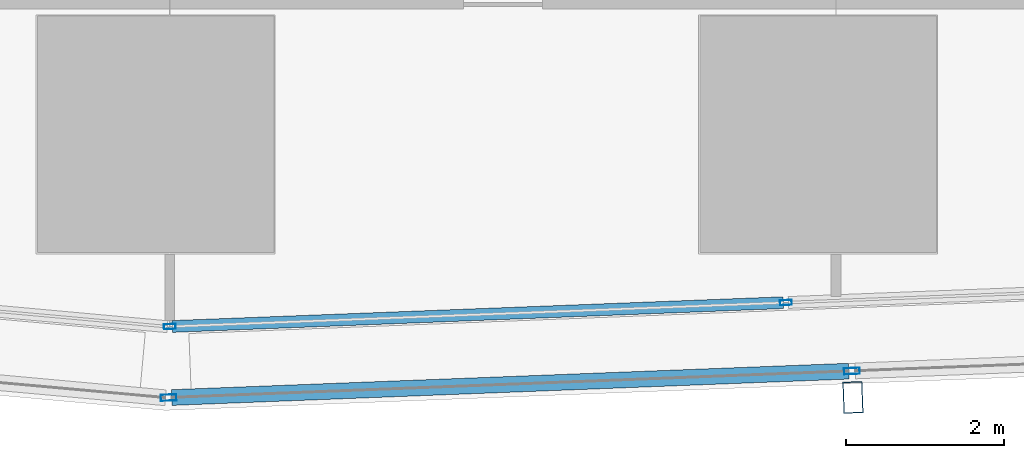
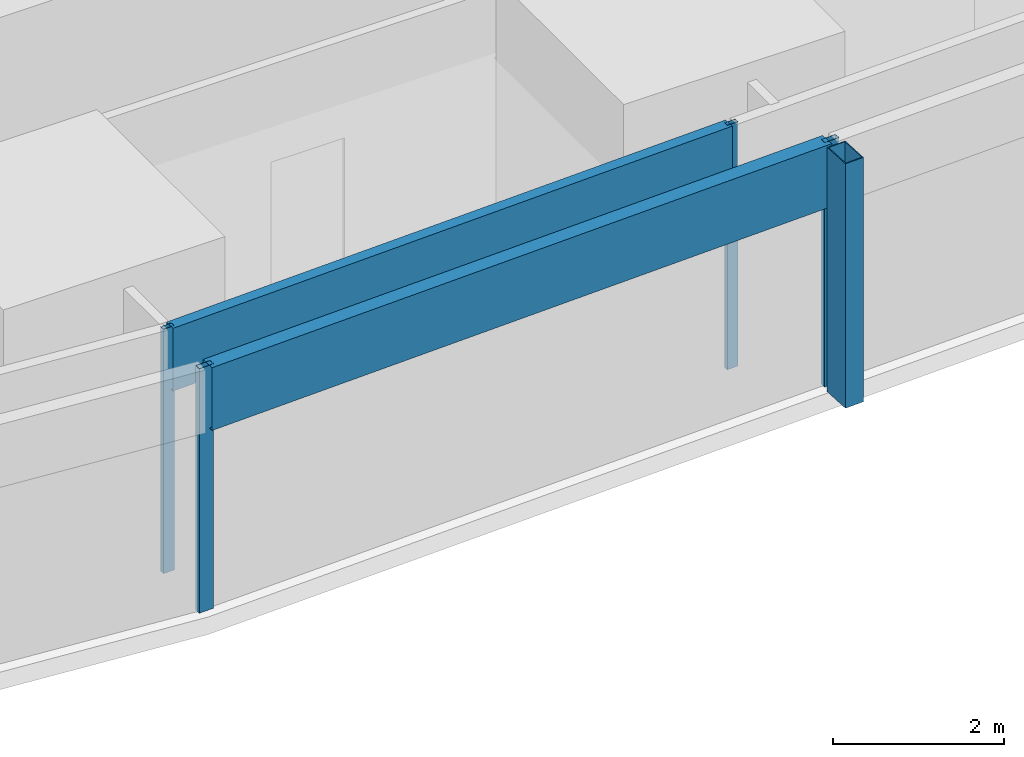
# One storey, part 5 of 39: 7 members, 2 elements without a shape of their own.
"""IFC4 building model written with IfcOpenShell, lengths in metres."""

from ifc_helpers import new_model, si_unit, direction, frame, origin, origin_2d, place, context, subcontext, project, spatial, hollow_rectangle, extrude, material, material_profile, profile_set, type_object, element, aggregate, save


model = new_model("IFC4")

# Units and contexts
model_context = context("Model", 3, precision=1e-05, world=origin(), true_north=direction((0.0, 1.0)))
body_context = subcontext(model_context, "Body", "Model", "MODEL_VIEW")
ifc_project = project(units=[si_unit("LENGTHUNIT", "METRE"), si_unit("AREAUNIT", "SQUARE_METRE"), si_unit("VOLUMEUNIT", "CUBIC_METRE"), si_unit("PLANEANGLEUNIT", "RADIAN"), si_unit("MASSUNIT", "GRAM", prefix="KILO")], contexts=[model_context])

# Site, building, storey
site_placement = place(None, origin())
site = spatial("IfcSite", under=ifc_project, at=site_placement, CompositionType="ELEMENT")
building_placement = place(site_placement, origin())
building = spatial("IfcBuilding", under=site, at=building_placement, Name="Rekha Terrace Tower", CompositionType="ELEMENT")
storey_placement = place(building_placement, frame((0.0, 0.0, 155.300048828125)))
storey = spatial("IfcBuildingStorey", under=building, at=storey_placement, Name="L39", CompositionType="ELEMENT", Elevation=155.300048828125)

# Curtain wall, member
ifc_material_1 = material(Name="Aluminium framing", Category="aluminium")
curtain_wall_type_1 = type_object("IfcCurtainWallType", Name="CW2 double skin outer glazing", PredefinedType="USERDEFINED", material=ifc_material_1)
curtain_wall_1_placement = place(storey_placement, origin())
curtain_wall_1 = element("IfcCurtainWall", 1, at=curtain_wall_1_placement, inside=storey, type_object=curtain_wall_type_1, Name="CW2 double skin outer glazing", ObjectType="DOUBLE SKIN OUTER GLAZING", PredefinedType="USERDEFINED")
ifc_material_2 = material(Name="Steel S355 with fluorocarbon finish", Category="steel")
ifc_material_profile_1 = material_profile(ifc_material_2, hollow_rectangle(XDim=0.25, YDim=0.39990234375, WallThickness=0.012451171875, at=origin_2d()), Name="RHS400x250x12.5")
ifc_profile_set_1 = profile_set([ifc_material_profile_1], Name="Steel S355 with fluorocarbon finish")
member_type_1 = type_object("IfcMemberType", Name="BL1 facade blade RHS 400 x 250", PredefinedType="USERDEFINED", material=ifc_profile_set_1)
member_1_placement = place(storey_placement, frame((34.042236328125, 13.46435546875, 0.0), z_axis=(0.0, 0.0, 1.0), x_axis=(0.999243494356, 0.038890088543, 0.0)))
member_1 = element("IfcMember", 2, at=member_1_placement, type_object=member_type_1, Name="Facade blade", ObjectType="FACADE BLADE", PredefinedType="USERDEFINED", context=body_context, shape_type="SweptSolid", body=[
    extrude(hollow_rectangle(XDim=0.25, YDim=0.39990234375, WallThickness=0.012451171875, at=origin_2d()), origin(), (0.0, 0.0, 1.0), 3.5),
])

# Curtain wall, members
curtain_wall_type_2 = type_object("IfcCurtainWallType", Name="CW1 double skin inner glazing", PredefinedType="USERDEFINED", material=ifc_material_1)
curtain_wall_2_placement = place(storey_placement, origin())
curtain_wall_2 = element("IfcCurtainWall", 3, at=curtain_wall_2_placement, inside=storey, type_object=curtain_wall_type_2, Name="CW1 double skin inner glazing", ObjectType="DOUBLE SKIN INNER GLAZING", PredefinedType="USERDEFINED")
ifc_material_3 = material(Name="Aluminium mullion section", Category="aluminium")
ifc_material_profile_2 = material_profile(ifc_material_3, hollow_rectangle(XDim=0.06494140625, YDim=0.14990234375, WallThickness=0.00390625, at=origin_2d()), Name="AL RHS 65x150")
ifc_profile_set_2 = profile_set([ifc_material_profile_2], Name="Aluminium mullion section")
member_type_2 = type_object("IfcMemberType", Name="CW1 mullion RHS 65 x 150", PredefinedType="MULLION", material=ifc_profile_set_2)
member_2_placement = place(storey_placement, frame((25.3798828125, 14.363037109375, 0.0), z_axis=(0.0, 0.0, 1.0), x_axis=(-0.038889971345, 0.999243498917, 0.0)))
member_2 = element("IfcMember", 4, at=member_2_placement, type_object=member_type_2, Name="CW1 mullion 1", PredefinedType="MULLION", context=body_context, shape_type="SweptSolid", body=[
    extrude(hollow_rectangle(XDim=0.06494140625, YDim=0.14990234375, WallThickness=0.00390625, at=origin_2d()), origin(), (0.0, 0.0, 1.0), 3.5),
])
member_3_placement = place(storey_placement, frame((33.19189453125, 14.667236328125, 0.0), z_axis=(0.0, 0.0, 1.0), x_axis=(-0.038889971345, 0.999243498917, 0.0)))
member_3 = element("IfcMember", 5, at=member_3_placement, type_object=member_type_2, Name="CW1 mullion 2", PredefinedType="MULLION", context=body_context, shape_type="SweptSolid", body=[
    extrude(hollow_rectangle(XDim=0.06494140625, YDim=0.14990234375, WallThickness=0.00390625, at=origin_2d()), origin(), (0.0, 0.0, 1.0), 3.5),
])
ifc_material_4 = material(Name="Insulated aluminium spandrel box", Category="aluminium")
ifc_material_profile_3 = material_profile(ifc_material_4, hollow_rectangle(XDim=0.14990234375, YDim=0.89990234375, WallThickness=0.0029296875, at=origin_2d()), Name="AL SPANDREL BOX 150x900")
ifc_profile_set_3 = profile_set([ifc_material_profile_3], Name="Insulated aluminium spandrel box")
member_type_3 = type_object("IfcMemberType", Name="CW1 spandrel transom 150 x 900", PredefinedType="USERDEFINED", material=ifc_profile_set_3)
member_4_placement = place(storey_placement, frame((25.412353515625, 14.364501953125, 3.050048828125), z_axis=(0.999243487711, 0.038890259275, 0.0), x_axis=(-0.038890259275, 0.999243487711, 0.0)))
member_4 = element("IfcMember", 6, at=member_4_placement, type_object=member_type_3, Name="CW1 spandrel transom 1", ObjectType="TRANSOM", PredefinedType="USERDEFINED", context=body_context, shape_type="SweptSolid", body=[
    extrude(hollow_rectangle(XDim=0.14990234375, YDim=0.89990234375, WallThickness=0.0029296875, at=origin_2d()), origin(), (0.0, 0.0, 1.0), 7.7529296875),
])
aggregate(curtain_wall_2, [member_2, member_3, member_4])

# Member
ifc_material_profile_4 = material_profile(ifc_material_3, hollow_rectangle(XDim=0.080078125, YDim=0.199951171875, WallThickness=0.00390625, at=origin_2d()), Name="AL RHS 80x200")
ifc_profile_set_4 = profile_set([ifc_material_profile_4], Name="Aluminium mullion section")
member_type_4 = type_object("IfcMemberType", Name="CW2 mullion RHS 80 x 200", PredefinedType="MULLION", material=ifc_profile_set_4)
member_5_placement = place(storey_placement, frame((25.364013671875, 13.4619140625, 0.0), z_axis=(0.0, 0.0, 1.0), x_axis=(-0.038889971345, 0.999243498917, 0.0)))
member_5 = element("IfcMember", 7, at=member_5_placement, type_object=member_type_4, Name="CW2 mullion 1", PredefinedType="MULLION", context=body_context, shape_type="SweptSolid", body=[
    extrude(hollow_rectangle(XDim=0.080078125, YDim=0.199951171875, WallThickness=0.00390625, at=origin_2d()), origin(), (0.0, 0.0, 1.0), 3.5),
])

member_6_placement = place(storey_placement, frame((34.029052734375, 13.799072265625, 0.0), z_axis=(0.0, 0.0, 1.0), x_axis=(-0.038889971345, 0.999243498917, 0.0)))
member_6 = element("IfcMember", 8, at=member_6_placement, type_object=member_type_4, Name="CW2 mullion 2", PredefinedType="MULLION", context=body_context, shape_type="SweptSolid", body=[
    extrude(hollow_rectangle(XDim=0.080078125, YDim=0.199951171875, WallThickness=0.00390625, at=origin_2d()), origin(), (0.0, 0.0, 1.0), 3.5),
])

ifc_material_profile_5 = material_profile(ifc_material_4, hollow_rectangle(XDim=0.199951171875, YDim=0.89990234375, WallThickness=0.0029296875, at=origin_2d()), Name="AL SPANDREL BOX 200x900")
ifc_profile_set_5 = profile_set([ifc_material_profile_5], Name="Insulated aluminium spandrel box")
member_type_5 = type_object("IfcMemberType", Name="CW2 spandrel transom 200 x 900", PredefinedType="USERDEFINED", material=ifc_profile_set_5)
member_7_placement = place(storey_placement, frame((25.404052734375, 13.46337890625, 3.050048828125), z_axis=(0.999243058466, 0.038901286707, 0.0), x_axis=(-0.038901286707, 0.999243058466, 0.0)))
member_7 = element("IfcMember", 9, at=member_7_placement, type_object=member_type_5, Name="CW2 spandrel transom 1", ObjectType="TRANSOM", PredefinedType="USERDEFINED", context=body_context, shape_type="SweptSolid", body=[
    extrude(hollow_rectangle(XDim=0.199951171875, YDim=0.89990234375, WallThickness=0.0029296875, at=origin_2d()), origin(), (0.0, 0.0, 1.0), 8.591796875),
])

aggregate(curtain_wall_1, [member_5, member_6, member_7, member_1])

save(model, "model.ifc")
